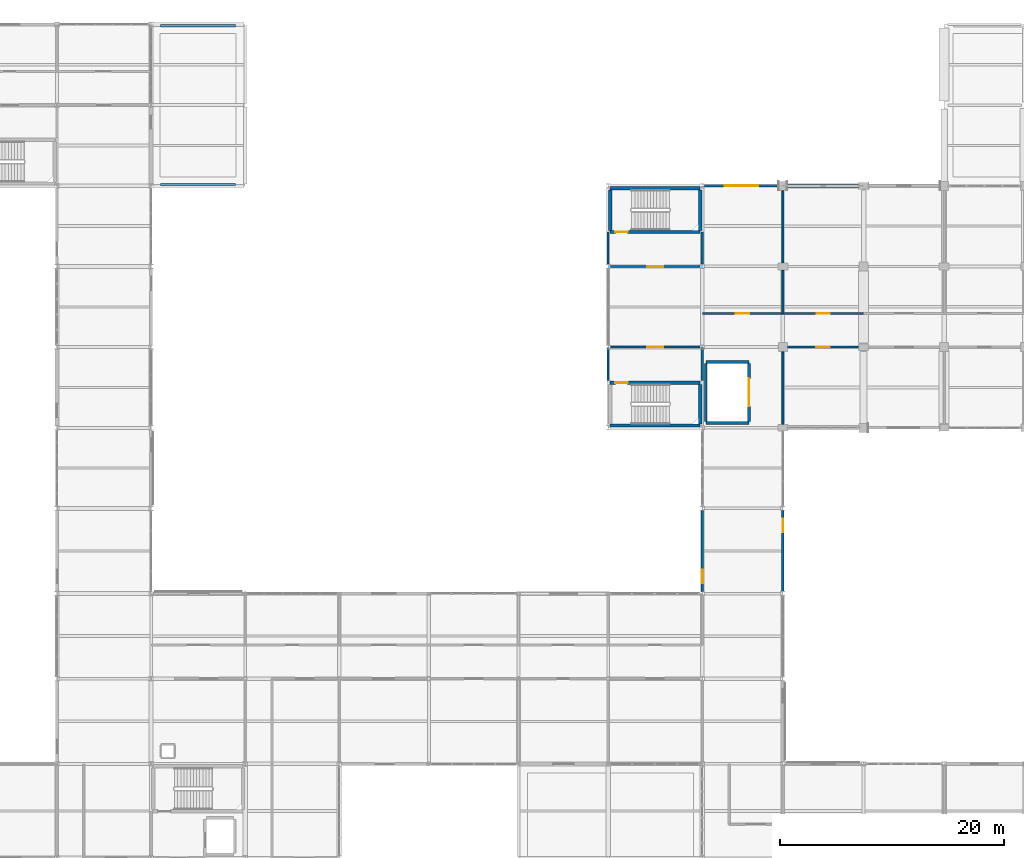
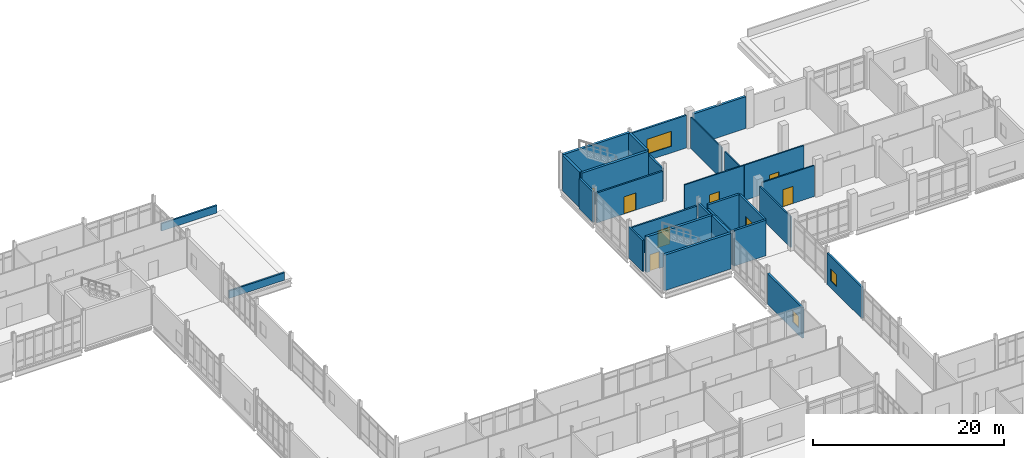
# One storey, part 166 of 186: 29 walls, 8 doors, 3 windows, 11 openings.
"""IFC4 building model written with IfcOpenShell, lengths in metres."""

from ifc_helpers import new_model, si_unit, direction, frame, frame_2d, origin, place, context, subcontext, project, spatial, rectangle, extrude, material, layer, layer_set, type_object, element, fill, save


model = new_model("IFC4")

# Units and contexts
model_context = context("Model", 3, precision=1e-05, world=origin(), true_north=direction((0.0, 1.0)))
body_context = subcontext(model_context, "Body", "Model", "MODEL_VIEW")
ifc_project = project(units=[si_unit("LENGTHUNIT", "METRE"), si_unit("AREAUNIT", "SQUARE_METRE"), si_unit("VOLUMEUNIT", "CUBIC_METRE"), si_unit("PLANEANGLEUNIT", "RADIAN"), si_unit("MASSUNIT", "GRAM", prefix="KILO")], contexts=[model_context])

# Site, building, storey
site_placement = place(None, origin())
site = spatial("IfcSite", under=ifc_project, at=site_placement, CompositionType="ELEMENT")
building_placement = place(site_placement, origin())
building = spatial("IfcBuilding", under=site, at=building_placement, Name="Calvrana Isthmian Art Gallery", CompositionType="ELEMENT")
storey_placement = place(building_placement, frame((0.0, 0.0, 5.39990234375)))
storey = spatial("IfcBuildingStorey", under=building, at=storey_placement, Name="L01", CompositionType="ELEMENT", Elevation=5.39990234375)

# Wall
ifc_material_1 = material(Name="Concrete C40/50", Category="concrete")
ifc_layer_1 = layer(ifc_material_1, 0.300048828125, Name="Concrete C40/50")
ifc_layer_set_1 = layer_set([ifc_layer_1], Name="Concrete C40/50")
wall_type_1 = type_object("IfcWallType", Name="CW-SHAFT-300", PredefinedType="SHEAR", material=ifc_layer_set_1)
wall_1_placement = place(storey_placement, frame((104.590087890625, 77.0, 0.0), z_axis=(0.0, 0.0, 1.0), x_axis=(1.0, 0.0, 0.0)))
element("IfcWall", 1, at=wall_1_placement, inside=storey, type_object=wall_type_1, Name="Core C5 shear wall S L01", PredefinedType="SHEAR", context=body_context, shape_type="SweptSolid", body=[
    extrude(rectangle(XDim=8.02001953125, YDim=0.300048828125, at=frame_2d((4.010009765625, 0.0))), origin(), (0.0, 0.0, 1.0), 4.5400390625),
])

# Wall, opening, door
wall_2_placement = place(storey_placement, frame((104.590087890625, 80.820068359375, 0.0), z_axis=(0.0, 0.0, 1.0), x_axis=(1.0, 0.0, 0.0)))
wall_2 = element("IfcWall", 2, at=wall_2_placement, inside=storey, type_object=wall_type_1, Name="Core C5 shear wall N L01", PredefinedType="SHEAR", context=body_context, shape_type="SweptSolid", body=[
    extrude(rectangle(XDim=8.02001953125, YDim=0.300048828125, at=frame_2d((4.010009765625, 0.0))), origin(), (0.0, 0.0, 1.0), 4.5400390625),
])
opening_1_placement = place(wall_2_placement, frame((0.449951171875, 0.0, 0.0)))
opening_1 = element("IfcOpeningElement", 3, at=opening_1_placement, cuts=wall_2, Name="Opening D-160", PredefinedType="OPENING", context=body_context, shape_type="SweptSolid", body=[
    extrude(rectangle(XDim=1.10009765625, YDim=2.14990234375, at=frame_2d((0.550048828125, 1.074951171875))), frame((0.0, 0.16015625, 0.0), z_axis=(0.0, -1.0, 0.0), x_axis=(1.0, 0.0, 0.0)), (0.0, 0.0, 1.0), 0.320556640625),
])
ifc_material_2 = material(Name="Steel ASTM A572 Gr 50", Category="steel")
door_type_1 = type_object("IfcDoorType", Name="DR-FIRE-1100", OperationType="NOTDEFINED", PredefinedType="DOOR", material=ifc_material_2)
door_1_placement = place(opening_1_placement, origin())
door_1 = element("IfcDoor", 4, at=door_1_placement, inside=storey, type_object=door_type_1, Name="Stair ST-5 fire door L01", OperationType="SINGLE_SWING_LEFT", OverallHeight=2.14990234375, OverallWidth=1.10009765625, PredefinedType="DOOR", context=body_context, shape_type="SweptSolid", body=[
    extrude(rectangle(XDim=1.10009765625, YDim=2.14990234375, at=frame_2d((0.550048828125, 1.074951171875))), frame((0.0, 0.02490234375, 0.0), z_axis=(0.0, -1.0, 0.0), x_axis=(1.0, 0.0, 0.0)), (0.0, 0.0, 1.0), 0.050048828125),
])
fill(opening_1, door_1)

# Wall
wall_3_placement = place(storey_placement, frame((112.610107421875, 77.14990234375, 0.0), z_axis=(0.0, 0.0, 1.0), x_axis=(0.0, 1.0, 0.0)))
element("IfcWall", 5, at=wall_3_placement, inside=storey, type_object=wall_type_1, Name="Core C5 shear wall E L01", PredefinedType="SHEAR", context=body_context, shape_type="SweptSolid", body=[
    extrude(rectangle(XDim=3.52001953125, YDim=0.300048828125, at=frame_2d((1.760009765625, 0.0))), origin(), (0.0, 0.0, 1.0), 4.5400390625),
])

# Wall, opening, door
wall_4_placement = place(storey_placement, frame((104.590087890625, 94.280029296875, 0.0), z_axis=(0.0, 0.0, 1.0), x_axis=(1.0, 0.0, 0.0)))
wall_4 = element("IfcWall", 6, at=wall_4_placement, inside=storey, type_object=wall_type_1, Name="Core C8 shear wall S L01", PredefinedType="SHEAR", context=body_context, shape_type="SweptSolid", body=[
    extrude(rectangle(XDim=8.02001953125, YDim=0.300048828125, at=frame_2d((4.010009765625, 0.0))), origin(), (0.0, 0.0, 1.0), 4.5400390625),
])
opening_2_placement = place(wall_4_placement, frame((0.449951171875, 0.0, 0.0)))
opening_2 = element("IfcOpeningElement", 7, at=opening_2_placement, cuts=wall_4, Name="Opening D-184", PredefinedType="OPENING", context=body_context, shape_type="SweptSolid", body=[
    extrude(rectangle(XDim=1.10009765625, YDim=2.14990234375, at=frame_2d((0.550048828125, 1.074951171875))), frame((0.0, 0.16015625, 0.0), z_axis=(0.0, -1.0, 0.0), x_axis=(1.0, 0.0, 0.0)), (0.0, 0.0, 1.0), 0.320556640625),
])
door_2_placement = place(opening_2_placement, origin())
door_2 = element("IfcDoor", 8, at=door_2_placement, inside=storey, type_object=door_type_1, Name="Stair ST-8 fire door L01", OperationType="SINGLE_SWING_LEFT", OverallHeight=2.14990234375, OverallWidth=1.10009765625, PredefinedType="DOOR", context=body_context, shape_type="SweptSolid", body=[
    extrude(rectangle(XDim=1.10009765625, YDim=2.14990234375, at=frame_2d((0.550048828125, 1.074951171875))), frame((0.0, 0.02490234375, 0.0), z_axis=(0.0, -1.0, 0.0), x_axis=(1.0, 0.0, 0.0)), (0.0, 0.0, 1.0), 0.050048828125),
])
fill(opening_2, door_2)

# Walls
wall_5_placement = place(storey_placement, frame((104.590087890625, 98.179931640625, 0.0), z_axis=(0.0, 0.0, 1.0), x_axis=(1.0, 0.0, 0.0)))
element("IfcWall", 9, at=wall_5_placement, inside=storey, type_object=wall_type_1, Name="Core C8 shear wall N L01", PredefinedType="SHEAR", context=body_context, shape_type="SweptSolid", body=[
    extrude(rectangle(XDim=8.02001953125, YDim=0.300048828125, at=frame_2d((4.010009765625, 0.0))), origin(), (0.0, 0.0, 1.0), 4.5400390625),
])
for number, where, z_axis, x_axis, name in (
    (10, (104.590087890625, 94.429931640625, 0.0), (0.0, 0.0, 1.0), (0.0, 1.0, 0.0), "Core C8 shear wall W L01"),
    (11, (112.610107421875, 94.429931640625, 0.0), (0.0, 0.0, 1.0), (0.0, 1.0, 0.0), "Core C8 shear wall E L01"),
):
    element("IfcWall", number, at=place(storey_placement, frame(where, z_axis=z_axis, x_axis=x_axis)), inside=storey, type_object=wall_type_1, Name=name, PredefinedType="SHEAR", context=body_context, shape_type="SweptSolid", body=[
        extrude(rectangle(XDim=3.60009765625, YDim=0.300048828125, at=frame_2d((1.800048828125, 0.0))), origin(), (0.0, 0.0, 1.0), 4.5400390625),
    ])

# Wall, opening, window
ifc_material_3 = material(Name="Precast concrete C40/50", Category="concrete")
ifc_layer_2 = layer(ifc_material_3, 0.219970703125, Name="Precast concrete C40/50")
ifc_layer_set_2 = layer_set([ifc_layer_2], Name="Precast concrete C40/50")
wall_type_2 = type_object("IfcWallType", Name="EW-ACOUST-220", PredefinedType="SOLIDWALL", material=ifc_layer_set_2)
wall_6_placement = place(storey_placement, frame((112.985595703125, 98.39990234375, 0.0), z_axis=(0.0, 0.0, 1.0), x_axis=(1.0, 0.0, 0.0)))
wall_6 = element("IfcWall", 12, at=wall_6_placement, inside=storey, type_object=wall_type_2, Name="Exterior wall EW-082", PredefinedType="SOLIDWALL", context=body_context, shape_type="SweptSolid", body=[
    extrude(rectangle(XDim=6.614501953125, YDim=0.219970703125, at=frame_2d((3.30712890625, 0.0))), origin(), (0.0, 0.0, 1.0), 4.1640625),
])
opening_3_placement = place(wall_6_placement, frame((1.80712890625, 0.0, 0.85009765625)))
opening_3 = element("IfcOpeningElement", 13, at=opening_3_placement, cuts=wall_6, Name="Opening W-047", PredefinedType="OPENING", context=body_context, shape_type="SweptSolid", body=[
    extrude(rectangle(XDim=3.0, YDim=1.89990234375, at=frame_2d((1.5, 0.949951171875))), frame((0.0, 0.1201171875, 0.0), z_axis=(0.0, -1.0, 0.0), x_axis=(1.0, 0.0, 0.0)), (0.0, 0.0, 1.0), 0.240478515625),
])
ifc_material_4 = material(Name="Low-E laminated solar glass", Category="glass")
window_type_1 = type_object("IfcWindowType", Name="WN-S02", PartitioningType="DOUBLE_PANEL_VERTICAL", PredefinedType="WINDOW", material=ifc_material_4)
window_1_placement = place(opening_3_placement, origin())
window_1 = element("IfcWindow", 14, at=window_1_placement, inside=storey, type_object=window_type_1, Name="Facade window W-047", OverallHeight=1.89990234375, OverallWidth=3.0, PartitioningType="SINGLE_PANEL", PredefinedType="WINDOW", context=body_context, shape_type="SweptSolid", body=[
    extrude(rectangle(XDim=3.0, YDim=1.89990234375, at=frame_2d((1.5, 0.949951171875))), frame((0.0, 0.030029296875, 0.0), z_axis=(0.0, -1.0, 0.0), x_axis=(1.0, 0.0, 0.0)), (0.0, 0.0, 1.0), 0.06005859375),
])
fill(opening_3, window_1)

wall_7_placement = place(storey_placement, frame((120.0, 69.422119140625, 0.0), z_axis=(0.0, 0.0, 1.0), x_axis=(0.0, -1.0, 0.0)))
wall_7 = element("IfcWall", 15, at=wall_7_placement, inside=storey, type_object=wall_type_2, Name="Exterior wall EW-106", PredefinedType="SOLIDWALL", context=body_context, shape_type="SweptSolid", body=[
    extrude(rectangle(XDim=7.235595703125, YDim=0.219970703125, at=frame_2d((3.61767578125, 0.0))), origin(), (0.0, 0.0, 1.0), 3.987060546875),
])
opening_4_placement = place(wall_7_placement, frame((0.75, 0.0, 0.89990234375)))
opening_4 = element("IfcOpeningElement", 16, at=opening_4_placement, cuts=wall_7, Name="Opening W-068", PredefinedType="OPENING", context=body_context, shape_type="SweptSolid", body=[
    extrude(rectangle(XDim=1.199951171875, YDim=1.5, at=frame_2d((0.60009765625, 0.75))), frame((0.0, 0.1201171875, 0.0), z_axis=(0.0, -1.0, 0.0), x_axis=(1.0, 0.0, 0.0)), (0.0, 0.0, 1.0), 0.240478515625),
])
window_type_2 = type_object("IfcWindowType", Name="WN-G01", PartitioningType="SINGLE_PANEL", PredefinedType="WINDOW", material=ifc_material_4)
window_2_placement = place(opening_4_placement, origin())
window_2 = element("IfcWindow", 17, at=window_2_placement, inside=storey, type_object=window_type_2, Name="Facade window W-068", OverallHeight=1.5, OverallWidth=1.199951171875, PartitioningType="SINGLE_PANEL", PredefinedType="WINDOW", context=body_context, shape_type="SweptSolid", body=[
    extrude(rectangle(XDim=1.199951171875, YDim=1.5, at=frame_2d((0.60009765625, 0.75))), frame((0.0, 0.030029296875, 0.0), z_axis=(0.0, -1.0, 0.0), x_axis=(1.0, 0.0, 0.0)), (0.0, 0.0, 1.0), 0.06005859375),
])
fill(opening_4, window_2)

# Wall
ifc_material_5 = material(Name="Pale Isthmian limestone", Category="masonry")
ifc_layer_3 = layer(ifc_material_5, 0.300048828125, Name="Pale Isthmian limestone")
ifc_layer_set_3 = layer_set([ifc_layer_3], Name="Pale Isthmian limestone")
wall_type_3 = type_object("IfcWallType", Name="EW-LIME-300", PredefinedType="SOLIDWALL", material=ifc_layer_set_3)
wall_8_placement = place(storey_placement, frame((120.39990234375, 98.39990234375, 0.0), z_axis=(0.0, 0.0, 1.0), x_axis=(1.0, 0.0, 0.0)))
element("IfcWall", 18, at=wall_8_placement, inside=storey, type_object=wall_type_3, Name="Exterior wall EW-083", PredefinedType="SOLIDWALL", context=body_context, shape_type="SweptSolid", body=[
    extrude(rectangle(XDim=6.35009765625, YDim=0.300048828125, at=frame_2d((3.175048828125, 0.0))), origin(), (0.0, 0.0, 1.0), 4.05810546875),
])

# Wall, opening, window
ifc_material_6 = material(Name="Polychrome glazed terracotta", Category="masonry")
ifc_layer_4 = layer(ifc_material_6, 0.25, Name="Polychrome glazed terracotta")
ifc_layer_set_4 = layer_set([ifc_layer_4], Name="Polychrome glazed terracotta")
wall_type_4 = type_object("IfcWallType", Name="EW-TERRA-250", PredefinedType="SOLIDWALL", material=ifc_layer_set_4)
wall_9_placement = place(storey_placement, frame((112.800048828125, 62.177978515625, 0.0), z_axis=(0.0, 0.0, 1.0), x_axis=(0.0, 1.0, 0.0)))
wall_9 = element("IfcWall", 19, at=wall_9_placement, inside=storey, type_object=wall_type_4, Name="Exterior wall EW-104", PredefinedType="SOLIDWALL", context=body_context, shape_type="SweptSolid", body=[
    extrude(rectangle(XDim=7.240478515625, YDim=0.25, at=frame_2d((3.6201171875, 0.0))), origin(), (0.0, 0.0, 1.0), 3.9130859375),
])
opening_5_placement = place(wall_9_placement, frame((0.75, 0.0, 0.89990234375)))
opening_5 = element("IfcOpeningElement", 20, at=opening_5_placement, cuts=wall_9, Name="Opening W-066", PredefinedType="OPENING", context=body_context, shape_type="SweptSolid", body=[
    extrude(rectangle(XDim=1.199951171875, YDim=1.5, at=frame_2d((0.60009765625, 0.75))), frame((0.0, 0.13525390625, 0.0), z_axis=(0.0, -1.0, 0.0), x_axis=(1.0, 0.0, 0.0)), (0.0, 0.0, 1.0), 0.2705078125),
])
window_3_placement = place(opening_5_placement, origin())
window_3 = element("IfcWindow", 21, at=window_3_placement, inside=storey, type_object=window_type_2, Name="Facade window W-066", OverallHeight=1.5, OverallWidth=1.199951171875, PartitioningType="SINGLE_PANEL", PredefinedType="WINDOW", context=body_context, shape_type="SweptSolid", body=[
    extrude(rectangle(XDim=1.199951171875, YDim=1.5, at=frame_2d((0.60009765625, 0.75))), frame((0.0, 0.030029296875, 0.0), z_axis=(0.0, -1.0, 0.0), x_axis=(1.0, 0.0, 0.0)), (0.0, 0.0, 1.0), 0.06005859375),
])
fill(opening_5, window_3)

# Walls
ifc_material_7 = material(Name="Acoustic gypsum ceiling", Category="gypsum")
ifc_layer_5 = layer(ifc_material_7, 0.199951171875, Name="Acoustic gypsum ceiling")
ifc_layer_set_5 = layer_set([ifc_layer_5], Name="Acoustic gypsum ceiling")
wall_type_5 = type_object("IfcWallType", Name="PW-FIRE-200", PredefinedType="PARTITIONING", material=ifc_layer_set_5)
wall_10_placement = place(storey_placement, frame((104.39990234375, 81.0400390625, 0.0), z_axis=(0.0, 0.0, 1.0), x_axis=(0.0, 1.0, 0.0)))
element("IfcWall", 22, at=wall_10_placement, inside=storey, type_object=wall_type_5, Name="Core C5 lobby W closure L01", PredefinedType="PARTITIONING", context=body_context, shape_type="SweptSolid", body=[
    extrude(rectangle(XDim=2.93994140625, YDim=0.199951171875, at=frame_2d((1.469970703125, 0.0))), origin(), (0.0, 0.0, 1.0), 3.987060546875),
])
wall_11_placement = place(storey_placement, frame((112.800048828125, 81.0400390625, 0.0), z_axis=(0.0, 0.0, 1.0), x_axis=(0.0, 1.0, 0.0)))
element("IfcWall", 23, at=wall_11_placement, inside=storey, type_object=wall_type_5, Name="Core C5 lobby E closure L01", PredefinedType="PARTITIONING", context=body_context, shape_type="SweptSolid", body=[
    extrude(rectangle(XDim=2.93994140625, YDim=0.199951171875, at=frame_2d((1.469970703125, 0.0))), origin(), (0.0, 0.0, 1.0), 4.05810546875),
])

# Wall, opening, door
wall_12_placement = place(storey_placement, frame((104.6201171875, 84.0, 0.0), z_axis=(0.0, 0.0, 1.0), x_axis=(1.0, 0.0, 0.0)))
wall_12 = element("IfcWall", 24, at=wall_12_placement, inside=storey, type_object=wall_type_5, Name="Core C5 lobby enclosure L01", PredefinedType="PARTITIONING", context=body_context, shape_type="SweptSolid", body=[
    extrude(rectangle(XDim=7.9599609375, YDim=0.199951171875, at=frame_2d((3.97998046875, 0.0))), origin(), (0.0, 0.0, 1.0), 3.758056640625),
])
opening_6_placement = place(wall_12_placement, frame((3.2548828125, 0.0, 0.0)))
opening_6 = element("IfcOpeningElement", 25, at=opening_6_placement, cuts=wall_12, Name="Opening D-161", PredefinedType="OPENING", context=body_context, shape_type="SweptSolid", body=[
    extrude(rectangle(XDim=1.449951171875, YDim=2.199951171875, at=frame_2d((0.72509765625, 1.10009765625))), frame((0.0, 0.1103515625, 0.0), z_axis=(0.0, -1.0, 0.0), x_axis=(1.0, 0.0, 0.0)), (0.0, 0.0, 1.0), 0.220458984375),
])
door_type_2 = type_object("IfcDoorType", Name="DR-LOBBY-1450", OperationType="DOUBLE_DOOR_SINGLE_SWING", PredefinedType="DOOR", material=ifc_material_2)
door_3_placement = place(opening_6_placement, origin())
door_3 = element("IfcDoor", 26, at=door_3_placement, inside=storey, type_object=door_type_2, Name="Core C5 lobby fire door L01", OperationType="DOUBLE_DOOR_SINGLE_SWING", OverallHeight=2.199951171875, OverallWidth=1.449951171875, PredefinedType="DOOR", context=body_context, shape_type="SweptSolid", body=[
    extrude(rectangle(XDim=1.449951171875, YDim=2.199951171875, at=frame_2d((0.72509765625, 1.10009765625))), frame((0.0, 0.02490234375, 0.0), z_axis=(0.0, -1.0, 0.0), x_axis=(1.0, 0.0, 0.0)), (0.0, 0.0, 1.0), 0.050048828125),
])
fill(opening_6, door_3)

# Walls
wall_13_placement = place(storey_placement, frame((104.39990234375, 91.419921875, 0.0), z_axis=(0.0, 0.0, 1.0), x_axis=(0.0, 1.0, 0.0)))
element("IfcWall", 27, at=wall_13_placement, inside=storey, type_object=wall_type_5, Name="Core C8 lobby W closure L01", PredefinedType="PARTITIONING", context=body_context, shape_type="SweptSolid", body=[
    extrude(rectangle(XDim=2.840087890625, YDim=0.199951171875, at=frame_2d((1.419921875, 0.0))), origin(), (0.0, 0.0, 1.0), 3.908203125),
])
wall_14_placement = place(storey_placement, frame((112.800048828125, 91.419921875, 0.0), z_axis=(0.0, 0.0, 1.0), x_axis=(0.0, 1.0, 0.0)))
element("IfcWall", 28, at=wall_14_placement, inside=storey, type_object=wall_type_5, Name="Core C8 lobby E closure L01", PredefinedType="PARTITIONING", context=body_context, shape_type="SweptSolid", body=[
    extrude(rectangle(XDim=2.840087890625, YDim=0.199951171875, at=frame_2d((1.419921875, 0.0))), origin(), (0.0, 0.0, 1.0), 3.9130859375),
])

# Wall, opening, door
wall_15_placement = place(storey_placement, frame((104.6201171875, 91.199951171875, 0.0), z_axis=(0.0, 0.0, 1.0), x_axis=(1.0, 0.0, 0.0)))
wall_15 = element("IfcWall", 29, at=wall_15_placement, inside=storey, type_object=wall_type_5, Name="Core C8 lobby enclosure L01", PredefinedType="PARTITIONING", context=body_context, shape_type="SweptSolid", body=[
    extrude(rectangle(XDim=7.9599609375, YDim=0.199951171875, at=frame_2d((3.97998046875, 0.0))), origin(), (0.0, 0.0, 1.0), 3.8271484375),
])
opening_7_placement = place(wall_15_placement, frame((3.2548828125, 0.0, 0.0)))
opening_7 = element("IfcOpeningElement", 30, at=opening_7_placement, cuts=wall_15, Name="Opening D-185", PredefinedType="OPENING", context=body_context, shape_type="SweptSolid", body=[
    extrude(rectangle(XDim=1.449951171875, YDim=2.199951171875, at=frame_2d((0.72509765625, 1.10009765625))), frame((0.0, 0.1103515625, 0.0), z_axis=(0.0, -1.0, 0.0), x_axis=(1.0, 0.0, 0.0)), (0.0, 0.0, 1.0), 0.220458984375),
])
door_4_placement = place(opening_7_placement, origin())
door_4 = element("IfcDoor", 31, at=door_4_placement, inside=storey, type_object=door_type_2, Name="Core C8 lobby fire door L01", OperationType="DOUBLE_DOOR_SINGLE_SWING", OverallHeight=2.199951171875, OverallWidth=1.449951171875, PredefinedType="DOOR", context=body_context, shape_type="SweptSolid", body=[
    extrude(rectangle(XDim=1.449951171875, YDim=2.199951171875, at=frame_2d((0.72509765625, 1.10009765625))), frame((0.0, 0.02490234375, 0.0), z_axis=(0.0, -1.0, 0.0), x_axis=(1.0, 0.0, 0.0)), (0.0, 0.0, 1.0), 0.050048828125),
])
fill(opening_7, door_4)

# Wall
ifc_layer_6 = layer(ifc_material_7, 0.159912109375, Name="Acoustic gypsum ceiling")
ifc_layer_set_6 = layer_set([ifc_layer_6], Name="Acoustic gypsum ceiling")
wall_type_6 = type_object("IfcWallType", Name="PW-GAL-160", PredefinedType="PARTITIONING", material=ifc_layer_set_6)
wall_16_placement = place(storey_placement, frame((120.0, 77.114990234375, 0.0), z_axis=(0.0, 0.0, 1.0), x_axis=(0.0, 1.0, 0.0)))
element("IfcWall", 32, at=wall_16_placement, inside=storey, type_object=wall_type_6, Name="Interior partition PW-407", PredefinedType="PARTITIONING", context=body_context, shape_type="SweptSolid", body=[
    extrude(rectangle(XDim=6.469970703125, YDim=0.159912109375, at=frame_2d((3.23486328125, 0.0))), origin(), (0.0, 0.0, 1.0), 3.908203125),
])

# Wall, opening, door
wall_17_placement = place(storey_placement, frame((120.4150390625, 84.0, 0.0), z_axis=(0.0, 0.0, 1.0), x_axis=(1.0, 0.0, 0.0)))
wall_17 = element("IfcWall", 33, at=wall_17_placement, inside=storey, type_object=wall_type_6, Name="Interior partition PW-408", PredefinedType="PARTITIONING", context=body_context, shape_type="SweptSolid", body=[
    extrude(rectangle(XDim=6.320068359375, YDim=0.159912109375, at=frame_2d((3.16015625, 0.0))), origin(), (0.0, 0.0, 1.0), 3.97119140625),
])
opening_8_placement = place(wall_17_placement, frame((2.56005859375, 0.0, 0.0)))
opening_8 = element("IfcOpeningElement", 34, at=opening_8_placement, cuts=wall_17, Name="Opening D-405", PredefinedType="OPENING", context=body_context, shape_type="SweptSolid", body=[
    extrude(rectangle(XDim=1.199951171875, YDim=2.199951171875, at=frame_2d((0.60009765625, 1.10009765625))), frame((0.0, 0.09033203125, 0.0), z_axis=(0.0, -1.0, 0.0), x_axis=(1.0, 0.0, 0.0)), (0.0, 0.0, 1.0), 0.180419921875),
])
ifc_material_8 = material(Name="Timber gallery flooring", Category="wood")
door_type_3 = type_object("IfcDoorType", Name="DR-RM-1200", OperationType="NOTDEFINED", PredefinedType="DOOR", material=ifc_material_8)
door_5_placement = place(opening_8_placement, origin())
door_5 = element("IfcDoor", 35, at=door_5_placement, inside=storey, type_object=door_type_3, Name="Interior door D-405", OperationType="SINGLE_SWING_RIGHT", OverallHeight=2.199951171875, OverallWidth=1.199951171875, PredefinedType="DOOR", context=body_context, shape_type="SweptSolid", body=[
    extrude(rectangle(XDim=1.199951171875, YDim=2.199951171875, at=frame_2d((0.60009765625, 1.10009765625))), frame((0.0, 0.02490234375, 0.0), z_axis=(0.0, -1.0, 0.0), x_axis=(1.0, 0.0, 0.0)), (0.0, 0.0, 1.0), 0.050048828125),
])
fill(opening_8, door_5)

wall_18_placement = place(storey_placement, frame((112.81005859375, 87.010009765625, 0.0), z_axis=(0.0, 0.0, 1.0), x_axis=(1.0, 0.0, 0.0)))
wall_18 = element("IfcWall", 36, at=wall_18_placement, inside=storey, type_object=wall_type_6, Name="Interior partition PW-414", PredefinedType="PARTITIONING", context=body_context, shape_type="SweptSolid", body=[
    extrude(rectangle(XDim=7.179931640625, YDim=0.159912109375, at=frame_2d((3.58984375, 0.0))), origin(), (0.0, 0.0, 1.0), 4.52001953125),
])
opening_9_placement = place(wall_18_placement, frame((2.989990234375, 0.0, 0.0)))
opening_9 = element("IfcOpeningElement", 37, at=opening_9_placement, cuts=wall_18, Name="Opening D-409", PredefinedType="OPENING", context=body_context, shape_type="SweptSolid", body=[
    extrude(rectangle(XDim=1.199951171875, YDim=2.199951171875, at=frame_2d((0.60009765625, 1.10009765625))), frame((0.0, 0.09033203125, 0.0), z_axis=(0.0, -1.0, 0.0), x_axis=(1.0, 0.0, 0.0)), (0.0, 0.0, 1.0), 0.180419921875),
])
door_6_placement = place(opening_9_placement, origin())
door_6 = element("IfcDoor", 38, at=door_6_placement, inside=storey, type_object=door_type_3, Name="Interior door D-409", OperationType="SINGLE_SWING_LEFT", OverallHeight=2.199951171875, OverallWidth=1.199951171875, PredefinedType="DOOR", context=body_context, shape_type="SweptSolid", body=[
    extrude(rectangle(XDim=1.199951171875, YDim=2.199951171875, at=frame_2d((0.60009765625, 1.10009765625))), frame((0.0, 0.02490234375, 0.0), z_axis=(0.0, -1.0, 0.0), x_axis=(1.0, 0.0, 0.0)), (0.0, 0.0, 1.0), 0.050048828125),
])
fill(opening_9, door_6)

# Walls
wall_19_placement = place(storey_placement, frame((120.0, 87.02001953125, 0.0), z_axis=(0.0, 0.0, 1.0), x_axis=(0.0, 1.0, 0.0)))
element("IfcWall", 39, at=wall_19_placement, inside=storey, type_object=wall_type_6, Name="Interior partition PW-415", PredefinedType="PARTITIONING", context=body_context, shape_type="SweptSolid", body=[
    extrude(rectangle(XDim=3.864990234375, YDim=0.159912109375, at=frame_2d((1.9326171875, 0.0))), origin(), (0.0, 0.0, 1.0), 3.9130859375),
])
wall_20_placement = place(storey_placement, frame((120.0, 91.514892578125, 0.0), z_axis=(0.0, 0.0, 1.0), x_axis=(0.0, 1.0, 0.0)))
element("IfcWall", 40, at=wall_20_placement, inside=storey, type_object=wall_type_6, Name="Interior partition PW-416", PredefinedType="PARTITIONING", context=body_context, shape_type="SweptSolid", body=[
    extrude(rectangle(XDim=6.47021484375, YDim=0.159912109375, at=frame_2d((3.235107421875, 0.0))), origin(), (0.0, 0.0, 1.0), 3.987060546875),
])

# Wall, opening, door
wall_21_placement = place(storey_placement, frame((120.010009765625, 87.010009765625, 0.0), z_axis=(0.0, 0.0, 1.0), x_axis=(1.0, 0.0, 0.0)))
wall_21 = element("IfcWall", 41, at=wall_21_placement, inside=storey, type_object=wall_type_6, Name="Interior partition PW-417", PredefinedType="PARTITIONING", context=body_context, shape_type="SweptSolid", body=[
    extrude(rectangle(XDim=7.179931640625, YDim=0.159912109375, at=frame_2d((3.58984375, 0.0))), origin(), (0.0, 0.0, 1.0), 4.52001953125),
])
opening_10_placement = place(wall_21_placement, frame((3.014892578125, 0.0, 0.0)))
opening_10 = element("IfcOpeningElement", 42, at=opening_10_placement, cuts=wall_21, Name="Opening D-410", PredefinedType="OPENING", context=body_context, shape_type="SweptSolid", body=[
    extrude(rectangle(XDim=1.14990234375, YDim=2.199951171875, at=frame_2d((0.574951171875, 1.10009765625))), frame((0.0, 0.09033203125, 0.0), z_axis=(0.0, -1.0, 0.0), x_axis=(1.0, 0.0, 0.0)), (0.0, 0.0, 1.0), 0.180419921875),
])
door_type_4 = type_object("IfcDoorType", Name="DR-RM-1150", OperationType="NOTDEFINED", PredefinedType="DOOR", material=ifc_material_8)
door_7_placement = place(opening_10_placement, origin())
door_7 = element("IfcDoor", 43, at=door_7_placement, inside=storey, type_object=door_type_4, Name="Interior door D-410", OperationType="SINGLE_SWING_RIGHT", OverallHeight=2.199951171875, OverallWidth=1.14990234375, PredefinedType="DOOR", context=body_context, shape_type="SweptSolid", body=[
    extrude(rectangle(XDim=1.14990234375, YDim=2.199951171875, at=frame_2d((0.574951171875, 1.10009765625))), frame((0.0, 0.02490234375, 0.0), z_axis=(0.0, -1.0, 0.0), x_axis=(1.0, 0.0, 0.0)), (0.0, 0.0, 1.0), 0.050048828125),
])
fill(opening_10, door_7)

# Walls
ifc_material_9 = material(Name="Concrete C35/45", Category="concrete")
ifc_layer_7 = layer(ifc_material_9, 0.25, Name="Concrete C35/45")
ifc_layer_set_7 = layer_set([ifc_layer_7], Name="Concrete C35/45")
wall_type_7 = type_object("IfcWallType", Name="PW-SHAFT-250", PredefinedType="PARTITIONING", material=ifc_layer_set_7)
for number, where, z_axis, x_axis, name in (
    (44, (113.1201171875, 82.679931640625, 0.0), (0.0, 0.0, 1.0), (1.0, 0.0, 0.0), "Goods lift L-G2 shaft N L01"),
    (45, (113.1201171875, 77.219970703125, 0.0), (0.0, 0.0, 1.0), (1.0, 0.0, 0.0), "Goods lift L-G2 shaft S L01"),
):
    element("IfcWall", number, at=place(storey_placement, frame(where, z_axis=z_axis, x_axis=x_axis)), inside=storey, type_object=wall_type_7, Name=name, PredefinedType="PARTITIONING", context=body_context, shape_type="SweptSolid", body=[
        extrude(rectangle(XDim=3.85986328125, YDim=0.25, at=frame_2d((1.929931640625, 0.0))), origin(), (0.0, 0.0, 1.0), 4.5400390625),
    ])
wall_22_placement = place(storey_placement, frame((113.1201171875, 77.35009765625, 0.0), z_axis=(0.0, 0.0, 1.0), x_axis=(0.0, 1.0, 0.0)))
element("IfcWall", 46, at=wall_22_placement, inside=storey, type_object=wall_type_7, Name="Goods lift L-G2 shaft W L01", PredefinedType="PARTITIONING", context=body_context, shape_type="SweptSolid", body=[
    extrude(rectangle(XDim=5.199951171875, YDim=0.25, at=frame_2d((2.60009765625, 0.0))), origin(), (0.0, 0.0, 1.0), 4.05810546875),
])

# Wall, opening, door
wall_23_placement = place(storey_placement, frame((116.97998046875, 77.35009765625, 0.0), z_axis=(0.0, 0.0, 1.0), x_axis=(0.0, 1.0, 0.0)))
wall_23 = element("IfcWall", 47, at=wall_23_placement, inside=storey, type_object=wall_type_7, Name="Goods lift L-G2 shaft E L01", PredefinedType="PARTITIONING", context=body_context, shape_type="SweptSolid", body=[
    extrude(rectangle(XDim=5.199951171875, YDim=0.25, at=frame_2d((2.60009765625, 0.0))), origin(), (0.0, 0.0, 1.0), 4.5400390625),
])
opening_11_placement = place(wall_23_placement, frame((1.35009765625, 0.0, 0.0)))
opening_11 = element("IfcOpeningElement", 48, at=opening_11_placement, cuts=wall_23, Name="Opening LD-G2-L01", PredefinedType="OPENING", context=body_context, shape_type="SweptSolid", body=[
    extrude(rectangle(XDim=2.5, YDim=2.60009765625, at=frame_2d((1.25, 1.300048828125))), frame((0.0, 0.13525390625, 0.0), z_axis=(0.0, -1.0, 0.0), x_axis=(1.0, 0.0, 0.0)), (0.0, 0.0, 1.0), 0.2705078125),
])
ifc_material_10 = material(Name="Stainless steel 316", Category="steel")
door_type_5 = type_object("IfcDoorType", Name="DR-GLIFT-2500", OperationType="DOUBLE_DOOR_SLIDING", PredefinedType="DOOR", material=ifc_material_10)
door_8_placement = place(opening_11_placement, origin())
door_8 = element("IfcDoor", 49, at=door_8_placement, inside=storey, type_object=door_type_5, Name="Freight goods lift L-G2 sliding door L01", OperationType="DOUBLE_DOOR_SLIDING", OverallHeight=2.60009765625, OverallWidth=2.5, PredefinedType="DOOR", context=body_context, shape_type="SweptSolid", body=[
    extrude(rectangle(XDim=2.5, YDim=2.60009765625, at=frame_2d((1.25, 1.300048828125))), frame((0.0, 0.02490234375, 0.0), z_axis=(0.0, -1.0, 0.0), x_axis=(1.0, 0.0, 0.0)), (0.0, 0.0, 1.0), 0.050048828125),
])
fill(opening_11, door_8)

# Walls
ifc_layer_8 = layer(ifc_material_5, 0.199951171875, Name="Pale Isthmian limestone")
ifc_layer_set_8 = layer_set([ifc_layer_8], Name="Pale Isthmian limestone")
wall_type_8 = type_object("IfcWallType", Name="WL-PARA-200", PredefinedType="PARAPET", material=ifc_layer_set_8)
for number, where, z_axis, x_axis, name in (
    (50, (64.449951171875, 98.52001953125, 0.0), (0.0, 0.0, 1.0), (1.0, 0.0, 0.0), "Roof parapet WP-16"),
    (51, (64.449951171875, 112.679931640625, 0.0), (0.0, 0.0, 1.0), (1.0, 0.0, 0.0), "Roof parapet WP-17"),
):
    element("IfcWall", number, at=place(storey_placement, frame(where, z_axis=z_axis, x_axis=x_axis)), inside=storey, type_object=wall_type_8, Name=name, PredefinedType="PARAPET", context=body_context, shape_type="SweptSolid", body=[
        extrude(rectangle(XDim=6.699951171875, YDim=0.199951171875, at=frame_2d((3.35009765625, 0.0))), origin(), (0.0, 0.0, 1.0), 0.9501953125),
    ])

save(model, "model.ifc")
